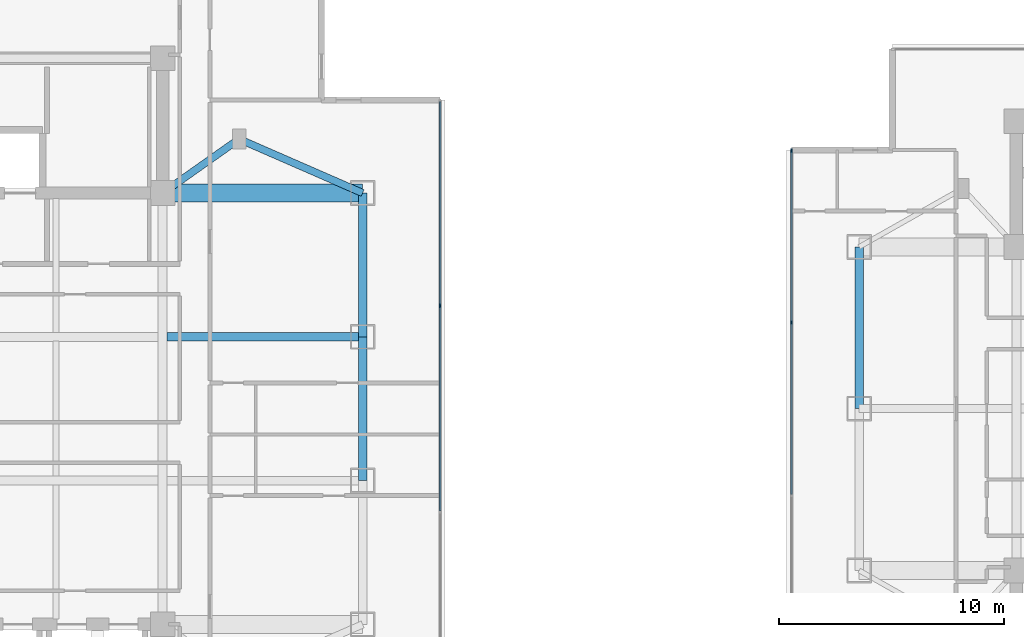
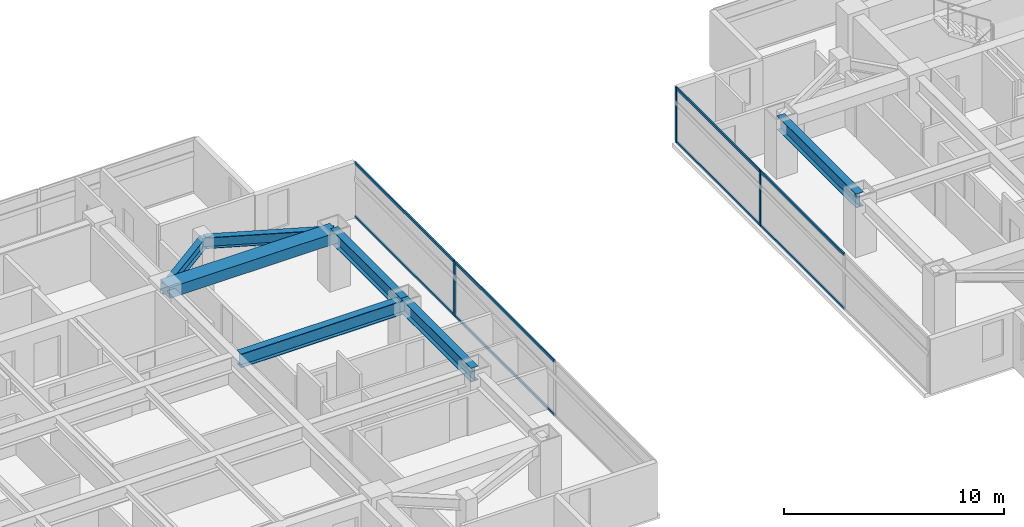
# One storey, part 6 of 24: 11 members, 7 beams, 2 elements without a shape of their own.
"""IFC4 building model written with IfcOpenShell, lengths in metres."""

from ifc_helpers import new_model, si_unit, direction, frame, origin, origin_2d, place, context, subcontext, project, spatial, rectangle, i_section, extrude, material, material_profile, profile_set, type_object, element, aggregate, save


model = new_model("IFC4")

# Units and contexts
model_context = context("Model", 3, precision=1e-05, world=origin(), true_north=direction((0.0, 1.0)))
body_context = subcontext(model_context, "Body", "Model", "MODEL_VIEW")
ifc_project = project(units=[si_unit("LENGTHUNIT", "METRE"), si_unit("AREAUNIT", "SQUARE_METRE"), si_unit("VOLUMEUNIT", "CUBIC_METRE"), si_unit("PLANEANGLEUNIT", "RADIAN"), si_unit("MASSUNIT", "GRAM", prefix="KILO")], contexts=[model_context])

# Site, building, storey
site_placement = place(None, origin())
site = spatial("IfcSite", under=ifc_project, at=site_placement, CompositionType="ELEMENT")
building_placement = place(site_placement, origin())
building = spatial("IfcBuilding", under=site, at=building_placement, Name="Mirazonda Arch Towers", CompositionType="ELEMENT")
storey_placement = place(building_placement, frame((0.0, 0.0, 141.199951171875)))
storey = spatial("IfcBuildingStorey", under=building, at=storey_placement, Name="L40", CompositionType="ELEMENT", Elevation=141.199951171875)

# Beams
ifc_material_1 = material(Name="Steel ASTM A992 Grade 50", Category="steel")
ifc_material_profile_1 = material_profile(ifc_material_1, i_section(OverallWidth=0.381103515625, OverallDepth=0.77294921875, WebThickness=0.0166015625, FlangeThickness=0.027099609375, at=origin_2d()), Name="W30X173")
ifc_profile_set_1 = profile_set([ifc_material_profile_1], Name="Steel ASTM A992 Grade 50")
beam_type_1 = type_object("IfcBeamType", Name="BM-EXT-W30X173", PredefinedType="USERDEFINED", material=ifc_profile_set_1)
beam_1_placement = place(storey_placement, frame((38.89990234375, 24.800048828125, 2.693603515625), z_axis=(0.0, 1.0, 0.0), x_axis=(-1.0, 0.0, 0.0)))
element("IfcBeam", 1, at=beam_1_placement, inside=storey, type_object=beam_type_1, Name="L40 Floor Beam BM-T1-L40-NS-E-24", ObjectType="GIRDER", PredefinedType="USERDEFINED", context=body_context, shape_type="SweptSolid", body=[
    extrude(i_section(OverallWidth=0.381103515625, OverallDepth=0.77294921875, WebThickness=0.0166015625, FlangeThickness=0.027099609375, at=origin_2d()), origin(), (0.0, 0.0, 1.0), 6.39990234375),
])
beam_2_placement = place(storey_placement, frame((38.89990234375, 31.199951171875, 2.693603515625), z_axis=(0.0, 1.0, 0.0), x_axis=(-1.0, 0.0, 0.0)))
element("IfcBeam", 2, at=beam_2_placement, inside=storey, type_object=beam_type_1, Name="L40 Floor Beam BM-T1-L40-NS-E-31", ObjectType="GIRDER", PredefinedType="USERDEFINED", context=body_context, shape_type="SweptSolid", body=[
    extrude(i_section(OverallWidth=0.381103515625, OverallDepth=0.77294921875, WebThickness=0.0166015625, FlangeThickness=0.027099609375, at=origin_2d()), origin(), (0.0, 0.0, 1.0), 6.400146484375),
])
beam_3_placement = place(storey_placement, frame((61.0, 28.0, 2.693603515625), z_axis=(0.0, 1.0, 0.0), x_axis=(-1.0, 0.0, 0.0)))
element("IfcBeam", 3, at=beam_3_placement, inside=storey, type_object=beam_type_1, Name="L40 Floor Beam BM-T2-L40-NS-W-28", ObjectType="GIRDER", PredefinedType="USERDEFINED", context=body_context, shape_type="SweptSolid", body=[
    extrude(i_section(OverallWidth=0.381103515625, OverallDepth=0.77294921875, WebThickness=0.0166015625, FlangeThickness=0.027099609375, at=origin_2d()), origin(), (0.0, 0.0, 1.0), 7.199951171875),
])
ifc_material_profile_2 = material_profile(ifc_material_1, i_section(OverallWidth=0.324951171875, OverallDepth=0.615966796875, WebThickness=0.013916015625, FlangeThickness=0.021484375, at=origin_2d()), Name="W24X117")
ifc_profile_set_2 = profile_set([ifc_material_profile_2], Name="Steel ASTM A992 Grade 50")
beam_type_2 = type_object("IfcBeamType", Name="BM-INT-W24X117", PredefinedType="BEAM", material=ifc_profile_set_2)
beam_4_placement = place(storey_placement, frame((33.39990234375, 40.0, 2.77197265625), z_axis=(-0.816971114901, -0.576678591087, 0.0), x_axis=(0.576678591087, -0.816971114901, 0.0)))
element("IfcBeam", 4, at=beam_4_placement, inside=storey, type_object=beam_type_2, Name="L40 Floor Beam BM-T1-L40-PL-NE1", PredefinedType="BEAM", context=body_context, shape_type="SweptSolid", body=[
    extrude(i_section(OverallWidth=0.324951171875, OverallDepth=0.615966796875, WebThickness=0.013916015625, FlangeThickness=0.021484375, at=origin_2d()), origin(), (0.0, 0.0, 1.0), 4.16162109375),
])
beam_5_placement = place(storey_placement, frame((33.39990234375, 40.0, 2.77197265625), z_axis=(0.916545343703, -0.399930785183, 0.0), x_axis=(0.399930785183, 0.916545343703, 0.0)))
element("IfcBeam", 5, at=beam_5_placement, inside=storey, type_object=beam_type_2, Name="L40 Floor Beam BM-T1-L40-PL-NE2", PredefinedType="BEAM", context=body_context, shape_type="SweptSolid", body=[
    extrude(i_section(OverallWidth=0.324951171875, OverallDepth=0.615966796875, WebThickness=0.013916015625, FlangeThickness=0.021484375, at=origin_2d()), origin(), (0.0, 0.0, 1.0), 6.000732421875),
])
ifc_material_profile_3 = material_profile(ifc_material_1, i_section(OverallWidth=0.381103515625, OverallDepth=0.77294921875, WebThickness=0.0166015625, FlangeThickness=0.027099609375, at=origin_2d()), Name="W30X173")
ifc_profile_set_3 = profile_set([ifc_material_profile_3], Name="Steel ASTM A992 Grade 50")
beam_type_3 = type_object("IfcBeamType", Name="BM-INT-W30X173", PredefinedType="USERDEFINED", material=ifc_profile_set_3)
beam_6_placement = place(storey_placement, frame((30.199951171875, 31.199951171875, 2.693603515625), z_axis=(1.0, 0.0, 0.0), x_axis=(0.0, 1.0, 0.0)))
element("IfcBeam", 6, at=beam_6_placement, inside=storey, type_object=beam_type_3, Name="L40 Floor Beam BM-T1-L40-GE3", ObjectType="GIRDER", PredefinedType="USERDEFINED", context=body_context, shape_type="SweptSolid", body=[
    extrude(i_section(OverallWidth=0.381103515625, OverallDepth=0.77294921875, WebThickness=0.0166015625, FlangeThickness=0.027099609375, at=origin_2d()), origin(), (0.0, 0.0, 1.0), 8.699951171875),
])
ifc_material_2 = material(Name="Concrete C60/75", Category="concrete")
ifc_material_profile_4 = material_profile(ifc_material_2, rectangle(XDim=0.800048828125, YDim=0.60009765625, at=origin_2d()), Name="RCCB800x600")
ifc_profile_set_4 = profile_set([ifc_material_profile_4], Name="Concrete C60/75")
beam_type_4 = type_object("IfcBeamType", Name="CB-INT-RCCB800x600", PredefinedType="SPANDREL", material=ifc_profile_set_4)
beam_7_placement = place(storey_placement, frame((30.0, 37.60009765625, 2.780029296875), z_axis=(1.0, 0.0, 0.0), x_axis=(0.0, 1.0, 0.0)))
element("IfcBeam", 7, at=beam_7_placement, inside=storey, type_object=beam_type_4, Name="L40 Floor Beam CBC-T1-L40-NE", PredefinedType="SPANDREL", context=body_context, shape_type="SweptSolid", body=[
    extrude(rectangle(XDim=0.800048828125, YDim=0.60009765625, at=origin_2d()), origin(), (0.0, 0.0, 1.0), 8.89990234375),
])

# Curtain wall, member
ifc_material_3 = material(Name="Anodised Aluminium and Low-E Glass", Category="aluminium")
curtain_wall_type = type_object("IfcCurtainWallType", Name="CW-HTL-UNIT", PredefinedType="NOTDEFINED", material=ifc_material_3)
curtain_wall_1_placement = place(storey_placement, origin())
curtain_wall_1 = element("IfcCurtainWall", 8, at=curtain_wall_1_placement, inside=storey, type_object=curtain_wall_type, Name="L40 T1 E Facade CW-L40-T1-E", PredefinedType="NOTDEFINED")
ifc_material_4 = material(Name="Anodised Aluminium Alloy", Category="aluminium")
ifc_material_profile_5 = material_profile(ifc_material_4, rectangle(XDim=0.074951171875, YDim=0.1650390625, at=origin_2d()), Name="ALU-MULL-75x165")
ifc_profile_set_5 = profile_set([ifc_material_profile_5], Name="Anodised Aluminium Alloy")
member_type_1 = type_object("IfcMemberType", Name="MULL-CW-HTL-UNIT", PredefinedType="MULLION", material=ifc_profile_set_5)
member_1_placement = place(storey_placement, frame((42.340087890625, 32.57861328125, 0.0), z_axis=(0.0, 0.0, 1.0), x_axis=(-1.0, 0.0, 0.0)))
member_1 = element("IfcMember", 9, at=member_1_placement, type_object=member_type_1, Name="CW-112 mullion 3", PredefinedType="MULLION", context=body_context, shape_type="SweptSolid", body=[
    extrude(rectangle(XDim=0.074951171875, YDim=0.1650390625, at=origin_2d()), origin(), (0.0, 0.0, 1.0), 3.06005859375),
])

# Curtain wall, members
curtain_wall_2_placement = place(storey_placement, origin())
curtain_wall_2 = element("IfcCurtainWall", 10, at=curtain_wall_2_placement, inside=storey, type_object=curtain_wall_type, Name="L40 T2 W Facade CW-L40-T2-W", PredefinedType="NOTDEFINED")
member_2_placement = place(storey_placement, frame((57.989013671875, 39.47802734375, 0.0), z_axis=(0.0, 0.0, 1.0), x_axis=(1.0, 0.0, 0.0)))
member_2 = element("IfcMember", 11, at=member_2_placement, type_object=member_type_1, Name="CW-112 mullion 1", PredefinedType="MULLION", context=body_context, shape_type="SweptSolid", body=[
    extrude(rectangle(XDim=0.074951171875, YDim=0.1650390625, at=origin_2d()), origin(), (0.0, 0.0, 1.0), 3.06005859375),
])
member_3_placement = place(storey_placement, frame((57.989013671875, 31.838623046875, 0.0), z_axis=(0.0, 0.0, 1.0), x_axis=(1.0, 0.0, 0.0)))
member_3 = element("IfcMember", 12, at=member_3_placement, type_object=member_type_1, Name="CW-112 mullion 2", PredefinedType="MULLION", context=body_context, shape_type="SweptSolid", body=[
    extrude(rectangle(XDim=0.074951171875, YDim=0.1650390625, at=origin_2d()), origin(), (0.0, 0.0, 1.0), 3.06005859375),
])

# Member
ifc_material_profile_6 = material_profile(ifc_material_4, rectangle(XDim=0.074951171875, YDim=0.14501953125, at=origin_2d()), Name="ALU-TRAN-75x145")
ifc_profile_set_6 = profile_set([ifc_material_profile_6], Name="Anodised Aluminium Alloy")
member_type_2 = type_object("IfcMemberType", Name="TRAN-CW-HTL-UNIT", PredefinedType="USERDEFINED", material=ifc_profile_set_6)
member_4_placement = place(storey_placement, frame((42.340087890625, 23.458740234375, 0.03759765625), z_axis=(0.0, 1.0, 0.0), x_axis=(-1.0, 0.0, 0.0)))
member_4 = element("IfcMember", 13, at=member_4_placement, type_object=member_type_2, Name="CW-112 transom 2.1", ObjectType="TRANSOM", PredefinedType="USERDEFINED", context=body_context, shape_type="SweptSolid", body=[
    extrude(rectangle(XDim=0.074951171875, YDim=0.14501953125, at=origin_2d()), origin(), (0.0, 0.0, 1.0), 9.08251953125),
])

member_5_placement = place(storey_placement, frame((42.340087890625, 23.458740234375, 3.0224609375), z_axis=(0.0, 1.0, 0.0), x_axis=(-1.0, 0.0, 0.0)))
member_5 = element("IfcMember", 14, at=member_5_placement, type_object=member_type_2, Name="CW-112 transom 2.2", ObjectType="TRANSOM", PredefinedType="USERDEFINED", context=body_context, shape_type="SweptSolid", body=[
    extrude(rectangle(XDim=0.074951171875, YDim=0.14501953125, at=origin_2d()), origin(), (0.0, 0.0, 1.0), 9.08251953125),
])

member_6_placement = place(storey_placement, frame((42.340087890625, 32.6162109375, 0.03759765625), z_axis=(0.0, 1.0, 0.0), x_axis=(-1.0, 0.0, 0.0)))
member_6 = element("IfcMember", 15, at=member_6_placement, type_object=member_type_2, Name="CW-112 transom 3.1", ObjectType="TRANSOM", PredefinedType="USERDEFINED", context=body_context, shape_type="SweptSolid", body=[
    extrude(rectangle(XDim=0.074951171875, YDim=0.14501953125, at=origin_2d()), origin(), (0.0, 0.0, 1.0), 9.044677734375),
])

member_7_placement = place(storey_placement, frame((42.340087890625, 32.6162109375, 3.0224609375), z_axis=(0.0, 1.0, 0.0), x_axis=(-1.0, 0.0, 0.0)))
member_7 = element("IfcMember", 16, at=member_7_placement, type_object=member_type_2, Name="CW-112 transom 3.2", ObjectType="TRANSOM", PredefinedType="USERDEFINED", context=body_context, shape_type="SweptSolid", body=[
    extrude(rectangle(XDim=0.074951171875, YDim=0.14501953125, at=origin_2d()), origin(), (0.0, 0.0, 1.0), 9.044677734375),
])

aggregate(curtain_wall_1, [member_1, member_4, member_5, member_6, member_7])

member_8_placement = place(storey_placement, frame((57.989013671875, 39.440673828125, 0.03759765625), z_axis=(0.0, -1.0, 0.0), x_axis=(1.0, 0.0, 0.0)))
member_8 = element("IfcMember", 17, at=member_8_placement, type_object=member_type_2, Name="CW-112 transom 1.1", ObjectType="TRANSOM", PredefinedType="USERDEFINED", context=body_context, shape_type="SweptSolid", body=[
    extrude(rectangle(XDim=0.074951171875, YDim=0.14501953125, at=origin_2d()), origin(), (0.0, 0.0, 1.0), 7.564697265625),
])

member_9_placement = place(storey_placement, frame((57.989013671875, 39.440673828125, 3.0224609375), z_axis=(0.0, -1.0, 0.0), x_axis=(1.0, 0.0, 0.0)))
member_9 = element("IfcMember", 18, at=member_9_placement, type_object=member_type_2, Name="CW-112 transom 1.2", ObjectType="TRANSOM", PredefinedType="USERDEFINED", context=body_context, shape_type="SweptSolid", body=[
    extrude(rectangle(XDim=0.074951171875, YDim=0.14501953125, at=origin_2d()), origin(), (0.0, 0.0, 1.0), 7.564697265625),
])

member_10_placement = place(storey_placement, frame((57.989013671875, 31.801025390625, 0.03759765625), z_axis=(0.0, -1.0, 0.0), x_axis=(1.0, 0.0, 0.0)))
member_10 = element("IfcMember", 19, at=member_10_placement, type_object=member_type_2, Name="CW-112 transom 2.1", ObjectType="TRANSOM", PredefinedType="USERDEFINED", context=body_context, shape_type="SweptSolid", body=[
    extrude(rectangle(XDim=0.074951171875, YDim=0.14501953125, at=origin_2d()), origin(), (0.0, 0.0, 1.0), 7.60205078125),
])

member_11_placement = place(storey_placement, frame((57.989013671875, 31.801025390625, 3.0224609375), z_axis=(0.0, -1.0, 0.0), x_axis=(1.0, 0.0, 0.0)))
member_11 = element("IfcMember", 20, at=member_11_placement, type_object=member_type_2, Name="CW-112 transom 2.2", ObjectType="TRANSOM", PredefinedType="USERDEFINED", context=body_context, shape_type="SweptSolid", body=[
    extrude(rectangle(XDim=0.074951171875, YDim=0.14501953125, at=origin_2d()), origin(), (0.0, 0.0, 1.0), 7.60205078125),
])

aggregate(curtain_wall_2, [member_2, member_3, member_8, member_9, member_10, member_11])

save(model, "model.ifc")
